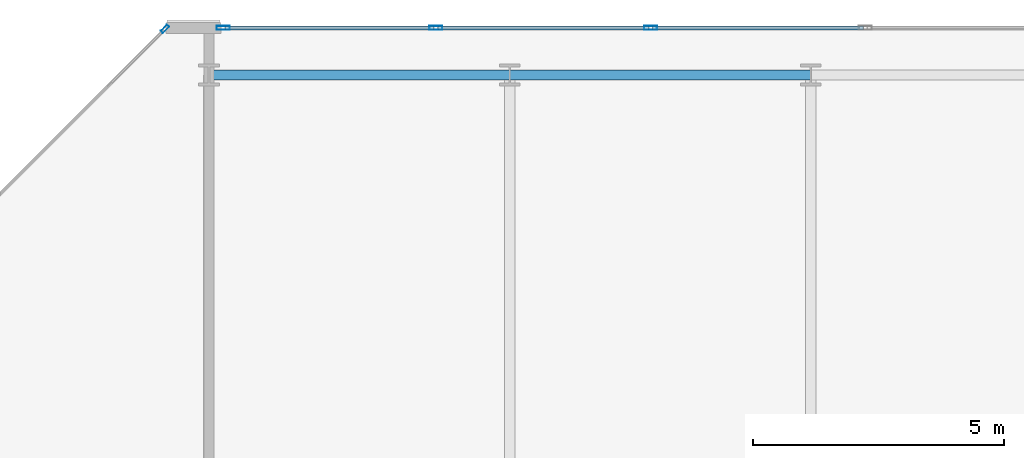
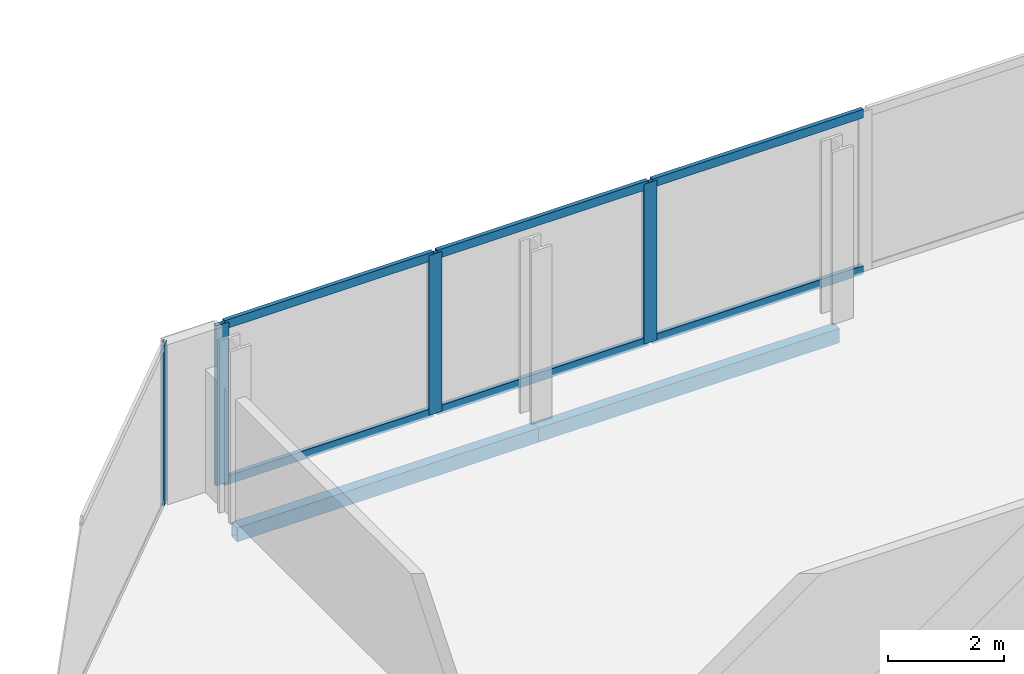
# One storey, part 10 of 16: 10 members, 2 beams, 2 elements without a shape of their own.
"""IFC4 building model written with IfcOpenShell, lengths in metres."""

from ifc_helpers import new_model, si_unit, direction, frame, origin, origin_2d, place, context, subcontext, project, spatial, hollow_rectangle, extrude, material, layer, layer_set, material_profile, profile_set, type_object, element, aggregate, save


model = new_model("IFC4")

# Units and contexts
model_context = context("Model", 3, precision=1e-05, world=origin(), true_north=direction((0.0, 1.0)))
body_context = subcontext(model_context, "Body", "Model", "MODEL_VIEW")
ifc_project = project(units=[si_unit("LENGTHUNIT", "METRE"), si_unit("AREAUNIT", "SQUARE_METRE"), si_unit("VOLUMEUNIT", "CUBIC_METRE"), si_unit("PLANEANGLEUNIT", "RADIAN"), si_unit("MASSUNIT", "GRAM", prefix="KILO")], contexts=[model_context])

# Site, building, storey
site_placement = place(None, origin())
site = spatial("IfcSite", under=ifc_project, at=site_placement, CompositionType="ELEMENT")
building_placement = place(site_placement, origin())
building = spatial("IfcBuilding", under=site, at=building_placement, Name="Tanjung Sevakor Pilgrim Tower", CompositionType="ELEMENT")
storey_placement = place(building_placement, frame((0.0, 0.0, 275.219970703125)))
storey = spatial("IfcBuildingStorey", under=building, at=storey_placement, Name="L77", CompositionType="ELEMENT", Elevation=275.219970703125)

# Beams
ifc_material_1 = material(Name="Steel S355J2", Category="steel")
ifc_material_profile_1 = material_profile(ifc_material_1, hollow_rectangle(XDim=0.199951171875, YDim=0.300048828125, WallThickness=0.012451171875, at=origin_2d()))
ifc_profile_set_1 = profile_set([ifc_material_profile_1], Name="Steel S355J2")
beam_type = type_object("IfcBeamType", Name="BM-B-SP3-RHS_300x200x12.5", PredefinedType="SPANDREL", material=ifc_profile_set_1)
for number, where, z_axis, x_axis, name in (
    (1, (72.0, 53.949951171875, -0.369873046875), (1.0, 0.0, 0.0), (0.0, 1.0, 0.0), "L77 Spandrel EAST N-02"),
    (2, (78.0, 53.949951171875, -0.369873046875), (1.0, 0.0, 0.0), (0.0, 1.0, 0.0), "L77 Spandrel EAST N-04"),
):
    element("IfcBeam", number, at=place(storey_placement, frame(where, z_axis=z_axis, x_axis=x_axis)), inside=storey, type_object=beam_type, Name=name, PredefinedType="SPANDREL", context=body_context, shape_type="SweptSolid", body=[
        extrude(hollow_rectangle(XDim=0.199951171875, YDim=0.300048828125, WallThickness=0.012451171875, at=origin_2d()), origin(), (0.0, 0.0, 1.0), 6.0),
    ])

# Curtain wall, member
ifc_material_2 = material(Name="Aluminium 6063-T6 and Low-E Glass", Category="aluminium")
ifc_layer_1 = layer(ifc_material_2, 0.179931640625)
ifc_layer_set_1 = layer_set([ifc_layer_1], Name="CW-SYS-CHAM")
curtain_wall_type_1 = type_object("IfcCurtainWallType", Name="CW-SYS-CHAM", PredefinedType="NOTDEFINED", material=ifc_layer_set_1)
curtain_wall_1_placement = place(storey_placement, origin())
curtain_wall_1 = element("IfcCurtainWall", 3, at=curtain_wall_1_placement, inside=storey, type_object=curtain_wall_type_1, Name="L77 Curtain Wall CW-CHM-L77-EAST-5", PredefinedType="NOTDEFINED")
ifc_material_3 = material(Name="Aluminium 6063-T6", Category="aluminium")
ifc_material_profile_2 = material_profile(ifc_material_3, hollow_rectangle(XDim=0.06494140625, YDim=0.179931640625, WallThickness=0.00390625, at=origin_2d()))
ifc_profile_set_2 = profile_set([ifc_material_profile_2], Name="Aluminium 6063-T6")
member_type_1 = type_object("IfcMemberType", Name="TYPE-CWM-1", PredefinedType="MULLION", material=ifc_profile_set_2)
member_1_placement = place(storey_placement, frame((71.12255859375, 54.866943359375, 0.0), z_axis=(0.0, 0.0, 1.0), x_axis=(0.707106781187, -0.707106781187, 0.0)))
member_1 = element("IfcMember", 4, at=member_1_placement, type_object=member_type_1, Name="CW-CHM mullion 1", PredefinedType="MULLION", context=body_context, shape_type="SweptSolid", body=[
    extrude(hollow_rectangle(XDim=0.06494140625, YDim=0.179931640625, WallThickness=0.00390625, at=origin_2d()), origin(), (0.0, 0.0, 1.0), 3.3701171875),
])
aggregate(curtain_wall_1, [member_1])

# Curtain wall, members
ifc_material_4 = material(Name="Aluminium 6063-T6 and Low-E Glass", Category="aluminium")
ifc_layer_2 = layer(ifc_material_4, 0.219970703125)
ifc_layer_set_2 = layer_set([ifc_layer_2], Name="CW-SYS-CRNE")
curtain_wall_type_2 = type_object("IfcCurtainWallType", Name="CW-SYS-CRNE", PredefinedType="NOTDEFINED", material=ifc_layer_set_2)
curtain_wall_2_placement = place(storey_placement, origin())
curtain_wall_2 = element("IfcCurtainWall", 5, at=curtain_wall_2_placement, inside=storey, type_object=curtain_wall_type_2, Name="L77 Curtain Wall CW-CRN-L77-EAST-4-1", PredefinedType="NOTDEFINED")
ifc_material_5 = material(Name="Aluminium 6063-T6", Category="aluminium")
ifc_material_profile_3 = material_profile(ifc_material_5, hollow_rectangle(XDim=0.080078125, YDim=0.260009765625, WallThickness=0.0048828125, at=origin_2d()))
ifc_profile_set_3 = profile_set([ifc_material_profile_3], Name="Aluminium 6063-T6")
member_type_2 = type_object("IfcMemberType", Name="TYPE-CWM-3", PredefinedType="MULLION", material=ifc_profile_set_3)
member_2_placement = place(storey_placement, frame((80.80908203125, 54.889892578125, 0.0), z_axis=(0.0, 0.0, 1.0), x_axis=(0.0, -1.0, 0.0)))
member_2 = element("IfcMember", 6, at=member_2_placement, type_object=member_type_2, Name="CW-CRE mullion 4", PredefinedType="MULLION", context=body_context, shape_type="SweptSolid", body=[
    extrude(hollow_rectangle(XDim=0.080078125, YDim=0.260009765625, WallThickness=0.0048828125, at=origin_2d()), origin(), (0.0, 0.0, 1.0), 3.3701171875),
])
member_3_placement = place(storey_placement, frame((76.52734375, 54.889892578125, 0.0), z_axis=(0.0, 0.0, 1.0), x_axis=(0.0, -1.0, 0.0)))
member_3 = element("IfcMember", 7, at=member_3_placement, type_object=member_type_2, Name="CW-CRE mullion 5", PredefinedType="MULLION", context=body_context, shape_type="SweptSolid", body=[
    extrude(hollow_rectangle(XDim=0.080078125, YDim=0.260009765625, WallThickness=0.0048828125, at=origin_2d()), origin(), (0.0, 0.0, 1.0), 3.3701171875),
])
member_4_placement = place(storey_placement, frame((72.28564453125, 54.889892578125, 0.0), z_axis=(0.0, 0.0, 1.0), x_axis=(0.0, -1.0, 0.0)))
member_4 = element("IfcMember", 8, at=member_4_placement, type_object=member_type_2, Name="CW-CRE mullion 6", PredefinedType="MULLION", context=body_context, shape_type="SweptSolid", body=[
    extrude(hollow_rectangle(XDim=0.080078125, YDim=0.260009765625, WallThickness=0.0048828125, at=origin_2d()), origin(), (0.0, 0.0, 1.0), 3.3701171875),
])
ifc_material_6 = material(Name="Aluminium 6063-T6", Category="aluminium")
ifc_material_profile_4 = material_profile(ifc_material_6, hollow_rectangle(XDim=0.080078125, YDim=0.179931640625, WallThickness=0.0048828125, at=origin_2d()))
ifc_profile_set_4 = profile_set([ifc_material_profile_4], Name="Aluminium 6063-T6")
member_type_3 = type_object("IfcMemberType", Name="TYPE-CWT-3", PredefinedType="USERDEFINED", material=ifc_profile_set_4)
member_5_placement = place(storey_placement, frame((85.05078125, 54.889892578125, 0.0400390625), z_axis=(-1.0, 0.0, 0.0), x_axis=(0.0, -1.0, 0.0)))
member_5 = element("IfcMember", 9, at=member_5_placement, type_object=member_type_3, Name="CW-CRE transom 3.1", ObjectType="TRANSOM", PredefinedType="USERDEFINED", context=body_context, shape_type="SweptSolid", body=[
    extrude(hollow_rectangle(XDim=0.080078125, YDim=0.179931640625, WallThickness=0.0048828125, at=origin_2d()), origin(), (0.0, 0.0, 1.0), 4.20166015625),
])
member_6_placement = place(storey_placement, frame((85.05078125, 54.889892578125, 3.330078125), z_axis=(-1.0, 0.0, 0.0), x_axis=(0.0, -1.0, 0.0)))
member_6 = element("IfcMember", 10, at=member_6_placement, type_object=member_type_3, Name="CW-CRE transom 3.2", ObjectType="TRANSOM", PredefinedType="USERDEFINED", context=body_context, shape_type="SweptSolid", body=[
    extrude(hollow_rectangle(XDim=0.080078125, YDim=0.179931640625, WallThickness=0.0048828125, at=origin_2d()), origin(), (0.0, 0.0, 1.0), 4.20166015625),
])
member_7_placement = place(storey_placement, frame((80.76904296875, 54.889892578125, 0.0400390625), z_axis=(-1.0, 0.0, 0.0), x_axis=(0.0, -1.0, 0.0)))
member_7 = element("IfcMember", 11, at=member_7_placement, type_object=member_type_3, Name="CW-CRE transom 4.1", ObjectType="TRANSOM", PredefinedType="USERDEFINED", context=body_context, shape_type="SweptSolid", body=[
    extrude(hollow_rectangle(XDim=0.080078125, YDim=0.179931640625, WallThickness=0.0048828125, at=origin_2d()), origin(), (0.0, 0.0, 1.0), 4.20166015625),
])
member_8_placement = place(storey_placement, frame((80.76904296875, 54.889892578125, 3.330078125), z_axis=(-1.0, 0.0, 0.0), x_axis=(0.0, -1.0, 0.0)))
member_8 = element("IfcMember", 12, at=member_8_placement, type_object=member_type_3, Name="CW-CRE transom 4.2", ObjectType="TRANSOM", PredefinedType="USERDEFINED", context=body_context, shape_type="SweptSolid", body=[
    extrude(hollow_rectangle(XDim=0.080078125, YDim=0.179931640625, WallThickness=0.0048828125, at=origin_2d()), origin(), (0.0, 0.0, 1.0), 4.20166015625),
])
member_9_placement = place(storey_placement, frame((76.4873046875, 54.889892578125, 0.0400390625), z_axis=(-1.0, 0.0, 0.0), x_axis=(0.0, -1.0, 0.0)))
member_9 = element("IfcMember", 13, at=member_9_placement, type_object=member_type_3, Name="CW-CRE transom 5.1", ObjectType="TRANSOM", PredefinedType="USERDEFINED", context=body_context, shape_type="SweptSolid", body=[
    extrude(hollow_rectangle(XDim=0.080078125, YDim=0.179931640625, WallThickness=0.0048828125, at=origin_2d()), origin(), (0.0, 0.0, 1.0), 4.16162109375),
])
member_10_placement = place(storey_placement, frame((76.4873046875, 54.889892578125, 3.330078125), z_axis=(-1.0, 0.0, 0.0), x_axis=(0.0, -1.0, 0.0)))
member_10 = element("IfcMember", 14, at=member_10_placement, type_object=member_type_3, Name="CW-CRE transom 5.2", ObjectType="TRANSOM", PredefinedType="USERDEFINED", context=body_context, shape_type="SweptSolid", body=[
    extrude(hollow_rectangle(XDim=0.080078125, YDim=0.179931640625, WallThickness=0.0048828125, at=origin_2d()), origin(), (0.0, 0.0, 1.0), 4.16162109375),
])
aggregate(curtain_wall_2, [member_2, member_3, member_4, member_5, member_6, member_7, member_8, member_9, member_10])

save(model, "model.ifc")
